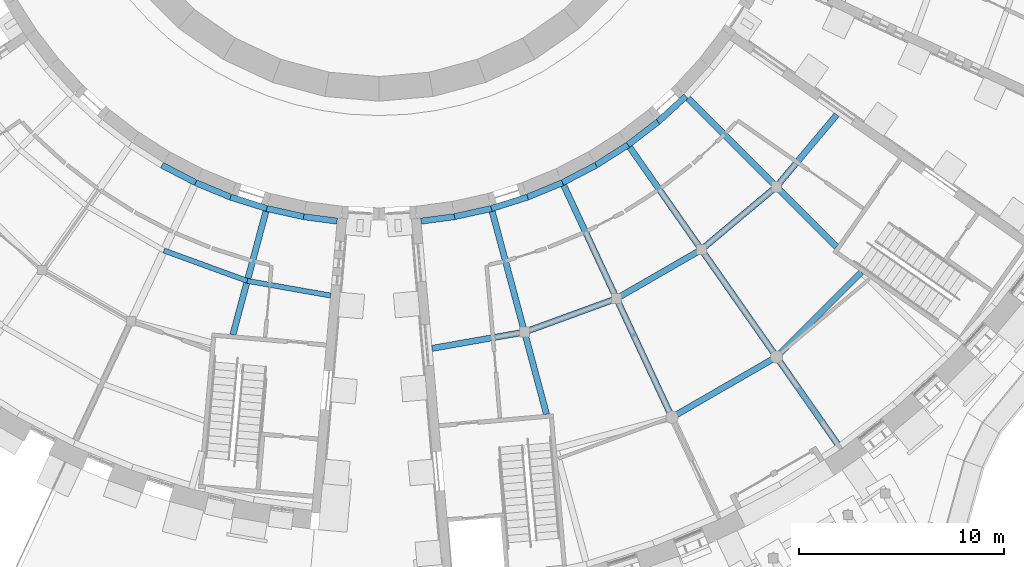
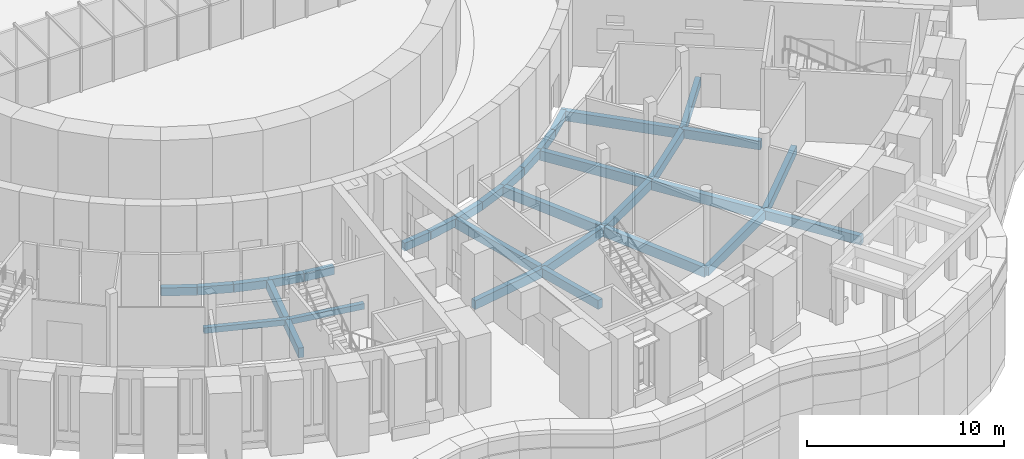
# One storey, part 5 of 85: 32 beams.
"""IFC4 building model written with IfcOpenShell, lengths in metres."""

from ifc_helpers import new_model, si_unit, direction, frame, origin, origin_2d, place, context, subcontext, project, spatial, rectangle, extrude, material, material_profile, profile_set, type_object, element, save


model = new_model("IFC4")

# Units and contexts
model_context = context("Model", 3, precision=1e-05, world=origin(), true_north=direction((0.0, 1.0)))
body_context = subcontext(model_context, "Body", "Model", "MODEL_VIEW")
ifc_project = project(units=[si_unit("LENGTHUNIT", "METRE"), si_unit("AREAUNIT", "SQUARE_METRE"), si_unit("VOLUMEUNIT", "CUBIC_METRE"), si_unit("PLANEANGLEUNIT", "RADIAN"), si_unit("MASSUNIT", "GRAM", prefix="KILO")], contexts=[model_context])

# Site, building, storey
site_placement = place(None, origin())
site = spatial("IfcSite", under=ifc_project, at=site_placement, CompositionType="ELEMENT")
building_placement = place(site_placement, origin())
building = spatial("IfcBuilding", under=site, at=building_placement, Name="Volute Hill Aquarium", CompositionType="ELEMENT")
storey_placement = place(building_placement, origin())
storey = spatial("IfcBuildingStorey", under=building, at=storey_placement, Name="L01", CompositionType="ELEMENT", Elevation=0.0)

# Beams
ifc_material_1 = material(Name="Concrete C35/45", Category="concrete")
ifc_material_profile_1 = material_profile(ifc_material_1, rectangle(XDim=0.300048828125, YDim=0.550048828125, at=origin_2d()), Name="RC beam 300x550")
ifc_profile_set_1 = profile_set([ifc_material_profile_1], Name="Concrete C35/45")
beam_type_1 = type_object("IfcBeamType", Name="Beam 300x550 C35/45", PredefinedType="BEAM", material=ifc_profile_set_1)
beam_1_placement = place(storey_placement, frame((7.08740234375, -26.4501953125, -0.544921875), z_axis=(0.258824393831, -0.965924393086, 0.0), x_axis=(0.965924393086, 0.258824393831, 0.0)))
element("IfcBeam", 1, at=beam_1_placement, inside=storey, type_object=beam_type_1, Name="bm/S3/L01/rad1.2", PredefinedType="BEAM", context=body_context, shape_type="SweptSolid", body=[
    extrude(rectangle(XDim=0.300048828125, YDim=0.550048828125, at=origin_2d()), origin(), (0.0, 0.0, 1.0), 4.145751953125),
])
beam_2_placement = place(storey_placement, frame((19.367919921875, -27.66015625, -0.544921875), z_axis=(0.573584859356, -0.819146146373, 0.0), x_axis=(0.819146146373, 0.573584859356, 0.0)))
element("IfcBeam", 2, at=beam_2_placement, inside=storey, type_object=beam_type_1, Name="bm/S3/L01/rad3.9", PredefinedType="BEAM", context=body_context, shape_type="SweptSolid", body=[
    extrude(rectangle(XDim=0.300048828125, YDim=0.550048828125, at=origin_2d()), origin(), (0.0, 0.0, 1.0), 5.483154296875),
])
beam_3_placement = place(storey_placement, frame((19.36279296875, -19.36279296875, -0.544921875), z_axis=(0.707106781187, -0.707106781187, 0.0), x_axis=(0.707106781187, 0.707106781187, 0.0)))
element("IfcBeam", 3, at=beam_3_placement, inside=storey, type_object=beam_type_1, Name="bm/S3/L01/rad4.11", PredefinedType="BEAM", context=body_context, shape_type="SweptSolid", body=[
    extrude(rectangle(XDim=0.300048828125, YDim=0.550048828125, at=origin_2d()), origin(), (0.0, 0.0, 1.0), 4.1455078125),
])
beam_4_placement = place(storey_placement, frame((2.584228515625, -27.244140625, -0.544921875), z_axis=(0.984810959113, 0.173629993984, 0.0), x_axis=(-0.173629993984, 0.984810959113, 0.0)))
element("IfcBeam", 4, at=beam_4_placement, inside=storey, type_object=beam_type_1, Name="bm/S3/L01/ring1.13", PredefinedType="BEAM", context=body_context, shape_type="SweptSolid", body=[
    extrude(rectangle(XDim=0.300048828125, YDim=0.550048828125, at=origin_2d()), origin(), (0.0, 0.0, 1.0), 4.572509765625),
])
beam_5_placement = place(storey_placement, frame((7.08740234375, -26.4501953125, -0.544921875), z_axis=(0.93969033816, 0.342026414722, 0.0), x_axis=(-0.342026414722, 0.93969033816, 0.0)))
element("IfcBeam", 5, at=beam_5_placement, inside=storey, type_object=beam_type_1, Name="bm/S3/L01/ring1.14", PredefinedType="BEAM", context=body_context, shape_type="SweptSolid", body=[
    extrude(rectangle(XDim=0.300048828125, YDim=0.550048828125, at=origin_2d()), origin(), (0.0, 0.0, 1.0), 4.773193359375),
])
beam_6_placement = place(storey_placement, frame((11.57275390625, -24.817626953125, -0.544921875), z_axis=(0.86602800421, 0.499995495904, 0.0), x_axis=(-0.499995495904, 0.86602800421, 0.0)))
element("IfcBeam", 6, at=beam_6_placement, inside=storey, type_object=beam_type_1, Name="bm/S3/L01/ring1.15", PredefinedType="BEAM", context=body_context, shape_type="SweptSolid", body=[
    extrude(rectangle(XDim=0.300048828125, YDim=0.550048828125, at=origin_2d()), origin(), (0.0, 0.0, 1.0), 4.77294921875),
])
beam_7_placement = place(storey_placement, frame((15.706298828125, -22.43115234375, -0.544921875), z_axis=(0.766024173382, 0.642811765445, 0.0), x_axis=(-0.642811765445, 0.766024173382, 0.0)))
element("IfcBeam", 7, at=beam_7_placement, inside=storey, type_object=beam_type_1, Name="bm/S3/L01/ring1.16", PredefinedType="BEAM", context=body_context, shape_type="SweptSolid", body=[
    extrude(rectangle(XDim=0.300048828125, YDim=0.550048828125, at=origin_2d()), origin(), (0.0, 0.0, 1.0), 4.7734375),
])
beam_8_placement = place(storey_placement, frame((19.36279296875, -19.36279296875, -0.544921875), z_axis=(0.642801320395, 0.76603293826, 0.0), x_axis=(-0.76603293826, 0.642801320395, 0.0)))
element("IfcBeam", 8, at=beam_8_placement, inside=storey, type_object=beam_type_1, Name="bm/S3/L01/ring1.17", PredefinedType="BEAM", context=body_context, shape_type="SweptSolid", body=[
    extrude(rectangle(XDim=0.300048828125, YDim=0.550048828125, at=origin_2d()), origin(), (0.0, 0.0, 1.0), 4.572509765625),
])
beam_9_placement = place(storey_placement, frame((14.2705078125, -30.60302734375, -0.544921875), z_axis=(0.866034317068, 0.499984561422, 0.0), x_axis=(-0.499984561422, 0.866034317068, 0.0)))
element("IfcBeam", 9, at=beam_9_placement, inside=storey, type_object=beam_type_1, Name="bm/S3/L01/ring2.19", PredefinedType="BEAM", context=body_context, shape_type="SweptSolid", body=[
    extrude(rectangle(XDim=0.300048828125, YDim=0.550048828125, at=origin_2d()), origin(), (0.0, 0.0, 1.0), 5.885986328125),
])
beam_10_placement = place(storey_placement, frame((19.367919921875, -27.66015625, -0.544921875), z_axis=(0.707085869838, 0.707127691916, 0.0), x_axis=(-0.707127691916, 0.707085869838, 0.0)))
element("IfcBeam", 10, at=beam_10_placement, inside=storey, type_object=beam_type_1, Name="bm/S3/L01/ring2.20", PredefinedType="BEAM", context=body_context, shape_type="SweptSolid", body=[
    extrude(rectangle(XDim=0.300048828125, YDim=0.550048828125, at=origin_2d()), origin(), (0.0, 0.0, 1.0), 5.837646484375),
])
ifc_material_2 = material(Name="Concrete C35/45", Category="concrete")
ifc_material_profile_2 = material_profile(ifc_material_2, rectangle(XDim=0.300048828125, YDim=0.60009765625, at=origin_2d()), Name="RC beam 300x600")
ifc_profile_set_2 = profile_set([ifc_material_profile_2], Name="Concrete C35/45")
beam_type_2 = type_object("IfcBeamType", Name="Beam 300x600 C35/45", PredefinedType="BEAM", material=ifc_profile_set_2)
beam_11_placement = place(storey_placement, frame((-5.435302734375, -20.284423828125, -0.56005859375), z_axis=(-0.258823456338, -0.965924644291, 0.0), x_axis=(0.965924644291, -0.258823456338, 0.0)))
element("IfcBeam", 11, at=beam_11_placement, inside=storey, type_object=beam_type_2, Name="bm/S2/L01/rad4.7", PredefinedType="BEAM", context=body_context, shape_type="SweptSolid", body=[
    extrude(rectangle(XDim=0.300048828125, YDim=0.60009765625, at=origin_2d()), origin(), (0.0, 0.0, 1.0), 6.51806640625),
])
for number, where, z_axis, x_axis, name in (
    (12, (5.435302734375, -20.284423828125, -0.570068359375), (0.258817016244, -0.965926369918, 0.0), (0.965926369918, 0.258817016244, 0.0), "bm/S3/L01/rad1.1"),
    (13, (8.875, -19.032470703125, -0.570068359375), (0.422630002843, -0.906302311978, 0.0), (0.906302311978, 0.422630002843, 0.0), "bm/S3/L01/rad2.4"),
):
    element("IfcBeam", number, at=place(storey_placement, frame(where, z_axis=z_axis, x_axis=x_axis)), inside=storey, type_object=beam_type_2, Name=name, PredefinedType="BEAM", context=body_context, shape_type="SweptSolid", body=[
        extrude(rectangle(XDim=0.300048828125, YDim=0.60009765625, at=origin_2d()), origin(), (0.0, 0.0, 1.0), 6.38330078125),
    ])
beam_12_placement = place(storey_placement, frame((11.57275390625, -24.817626953125, -0.570068359375), z_axis=(0.422615353503, -0.906309143164, 0.0), x_axis=(0.906309143164, 0.422615353503, 0.0)))
element("IfcBeam", 14, at=beam_12_placement, inside=storey, type_object=beam_type_2, Name="bm/S3/L01/rad2.5", PredefinedType="BEAM", context=body_context, shape_type="SweptSolid", body=[
    extrude(rectangle(XDim=0.300048828125, YDim=0.60009765625, at=origin_2d()), origin(), (0.0, 0.0, 1.0), 6.383544921875),
])
beam_13_placement = place(storey_placement, frame((12.045166015625, -17.2021484375, -0.570068359375), z_axis=(0.573549615778, -0.819170823602, 0.0), x_axis=(0.819170823602, 0.573549615778, 0.0)))
element("IfcBeam", 15, at=beam_13_placement, inside=storey, type_object=beam_type_2, Name="bm/S3/L01/rad3.7", PredefinedType="BEAM", context=body_context, shape_type="SweptSolid", body=[
    extrude(rectangle(XDim=0.300048828125, YDim=0.60009765625, at=origin_2d()), origin(), (0.0, 0.0, 1.0), 6.38330078125),
])
beam_14_placement = place(storey_placement, frame((15.706298828125, -22.43115234375, -0.570068359375), z_axis=(0.573600942784, -0.819134884154, 0.0), x_axis=(0.819134884154, 0.573600942784, 0.0)))
element("IfcBeam", 16, at=beam_14_placement, inside=storey, type_object=beam_type_2, Name="bm/S3/L01/rad3.8", PredefinedType="BEAM", context=body_context, shape_type="SweptSolid", body=[
    extrude(rectangle(XDim=0.300048828125, YDim=0.60009765625, at=origin_2d()), origin(), (0.0, 0.0, 1.0), 6.383544921875),
])
beam_15_placement = place(storey_placement, frame((14.84912109375, -14.84912109375, -0.570068359375), z_axis=(0.707106781187, -0.707106781187, 0.0), x_axis=(0.707106781187, 0.707106781187, 0.0)))
element("IfcBeam", 17, at=beam_15_placement, inside=storey, type_object=beam_type_2, Name="bm/S3/L01/rad4.10", PredefinedType="BEAM", context=body_context, shape_type="SweptSolid", body=[
    extrude(rectangle(XDim=0.300048828125, YDim=0.60009765625, at=origin_2d()), origin(), (0.0, 0.0, 1.0), 6.38330078125),
])
ifc_material_3 = material(Name="Concrete C35/45", Category="concrete")
ifc_material_profile_3 = material_profile(ifc_material_3, rectangle(XDim=0.300048828125, YDim=0.5, at=origin_2d()), Name="RC edge beam 300x500")
ifc_profile_set_3 = profile_set([ifc_material_profile_3], Name="Concrete C35/45")
beam_type_3 = type_object("IfcBeamType", Name="Edge beam 300x500 C35/45", PredefinedType="BEAM", material=ifc_profile_set_3)
beam_16_placement = place(storey_placement, frame((-10.5751953125, -18.316650390625, -0.510009765625), z_axis=(0.887058600994, -0.461656840523, 0.0), x_axis=(0.461656840523, 0.887058600994, 0.0)))
element("IfcBeam", 18, at=beam_16_placement, inside=storey, type_object=beam_type_3, Name="bm/S2/L01/edgeD.17", PredefinedType="BEAM", context=body_context, shape_type="SweptSolid", body=[
    extrude(rectangle(XDim=0.300048828125, YDim=0.5, at=origin_2d()), origin(), (0.0, 0.0, 1.0), 1.84521484375),
])
beam_17_placement = place(storey_placement, frame((-8.9384765625, -19.16845703125, -0.510009765625), z_axis=(0.923881361379, -0.382679017059, 0.0), x_axis=(0.382679017059, 0.923881361379, 0.0)))
element("IfcBeam", 19, at=beam_17_placement, inside=storey, type_object=beam_type_3, Name="bm/S2/L01/edgeD.18", PredefinedType="BEAM", context=body_context, shape_type="SweptSolid", body=[
    extrude(rectangle(XDim=0.300048828125, YDim=0.5, at=origin_2d()), origin(), (0.0, 0.0, 1.0), 1.844970703125),
])
for number, where, z_axis, x_axis, name in (
    (20, (-7.23388671875, -19.87451171875, -0.510009765625), (0.953704567191, -0.300745072312, 0.0), (0.300745072312, 0.953704567191, 0.0), "bm/S2/L01/edgeD.19"),
    (21, (-5.47412109375, -20.429443359375, -0.510009765625), (0.976292789523, -0.216454127071, 0.0), (0.216454127071, 0.976292789523, 0.0), "bm/S2/L01/edgeD.20"),
):
    element("IfcBeam", number, at=place(storey_placement, frame(where, z_axis=z_axis, x_axis=x_axis)), inside=storey, type_object=beam_type_3, Name=name, PredefinedType="BEAM", context=body_context, shape_type="SweptSolid", body=[
        extrude(rectangle(XDim=0.300048828125, YDim=0.5, at=origin_2d()), origin(), (0.0, 0.0, 1.0), 1.84521484375),
    ])
for number, where, z_axis, x_axis, name in (
    (22, (-3.672607421875, -20.828857421875, -0.510009765625), (0.99143407694, -0.130608081992, 0.0), (0.130608081992, 0.99143407694, 0.0), "bm/S2/L01/edgeD.21"),
    (23, (2.041748046875, -21.043701171875, -0.52001953125), (0.99143407694, 0.130608081992, 0.0), (-0.130608081992, 0.99143407694, 0.0), "bm/S3/L01/edgeD.21"),
):
    element("IfcBeam", number, at=place(storey_placement, frame(where, z_axis=z_axis, x_axis=x_axis)), inside=storey, type_object=beam_type_3, Name=name, PredefinedType="BEAM", context=body_context, shape_type="SweptSolid", body=[
        extrude(rectangle(XDim=0.300048828125, YDim=0.5, at=origin_2d()), origin(), (0.0, 0.0, 1.0), 1.64501953125),
    ])
for number, where, z_axis, x_axis, name in (
    (24, (3.672607421875, -20.828857421875, -0.52001953125), (0.976292789523, 0.216454127071, 0.0), (-0.216454127071, 0.976292789523, 0.0), "bm/S3/L01/edgeD.22"),
    (25, (5.47412109375, -20.429443359375, -0.52001953125), (0.953704567191, 0.300745072312, 0.0), (-0.300745072312, 0.953704567191, 0.0), "bm/S3/L01/edgeD.23"),
):
    element("IfcBeam", number, at=place(storey_placement, frame(where, z_axis=z_axis, x_axis=x_axis)), inside=storey, type_object=beam_type_3, Name=name, PredefinedType="BEAM", context=body_context, shape_type="SweptSolid", body=[
        extrude(rectangle(XDim=0.300048828125, YDim=0.5, at=origin_2d()), origin(), (0.0, 0.0, 1.0), 1.84521484375),
    ])
beam_18_placement = place(storey_placement, frame((7.23388671875, -19.87451171875, -0.52001953125), z_axis=(0.923881361379, 0.382679017059, 0.0), x_axis=(-0.382679017059, 0.923881361379, 0.0)))
element("IfcBeam", 26, at=beam_18_placement, inside=storey, type_object=beam_type_3, Name="bm/S3/L01/edgeD.24", PredefinedType="BEAM", context=body_context, shape_type="SweptSolid", body=[
    extrude(rectangle(XDim=0.300048828125, YDim=0.5, at=origin_2d()), origin(), (0.0, 0.0, 1.0), 1.844970703125),
])
beam_19_placement = place(storey_placement, frame((8.9384765625, -19.16845703125, -0.52001953125), z_axis=(0.887058600994, 0.461656840523, 0.0), x_axis=(-0.461656840523, 0.887058600994, 0.0)))
element("IfcBeam", 27, at=beam_19_placement, inside=storey, type_object=beam_type_3, Name="bm/S3/L01/edgeD.25", PredefinedType="BEAM", context=body_context, shape_type="SweptSolid", body=[
    extrude(rectangle(XDim=0.300048828125, YDim=0.5, at=origin_2d()), origin(), (0.0, 0.0, 1.0), 1.84521484375),
])
beam_20_placement = place(storey_placement, frame((10.5751953125, -18.316650390625, -0.52001953125), z_axis=(0.843334400185, 0.537389141558, 0.0), x_axis=(-0.537389141558, 0.843334400185, 0.0)))
element("IfcBeam", 28, at=beam_20_placement, inside=storey, type_object=beam_type_3, Name="bm/S3/L01/edgeD.26", PredefinedType="BEAM", context=body_context, shape_type="SweptSolid", body=[
    extrude(rectangle(XDim=0.300048828125, YDim=0.5, at=origin_2d()), origin(), (0.0, 0.0, 1.0), 1.844970703125),
])
for number, where, z_axis, x_axis, name in (
    (29, (12.131103515625, -17.3251953125, -0.52001953125), (0.79334647843, 0.608770371457, 0.0), (-0.608770371457, 0.79334647843, 0.0), "bm/S3/L01/edgeD.27"),
    (30, (13.594970703125, -16.201904296875, -0.52001953125), (0.73726397759, 0.675604786356, 0.0), (-0.675604786356, 0.73726397759, 0.0), "bm/S3/L01/edgeD.28"),
):
    element("IfcBeam", number, at=place(storey_placement, frame(where, z_axis=z_axis, x_axis=x_axis)), inside=storey, type_object=beam_type_3, Name=name, PredefinedType="BEAM", context=body_context, shape_type="SweptSolid", body=[
        extrude(rectangle(XDim=0.300048828125, YDim=0.5, at=origin_2d()), origin(), (0.0, 0.0, 1.0), 1.84521484375),
    ])
ifc_material_4 = material(Name="Concrete C35/45", Category="concrete")
ifc_material_profile_4 = material_profile(ifc_material_4, rectangle(XDim=0.25, YDim=0.35009765625, at=origin_2d()), Name="RC joist 250x350")
ifc_profile_set_4 = profile_set([ifc_material_profile_4], Name="Concrete C35/45")
beam_type_4 = type_object("IfcBeamType", Name="Joist 250x350 C35/45", PredefinedType="BEAM", material=ifc_profile_set_4)
beam_21_placement = place(storey_placement, frame((-10.48095703125, -22.476318359375, -0.43505859375), z_axis=(0.93967629748, -0.34206498791, 0.0), x_axis=(0.34206498791, 0.93967629748, 0.0)))
element("IfcBeam", 31, at=beam_21_placement, inside=storey, type_object=beam_type_4, Name="bm/S2/L01/jst4", PredefinedType="BEAM", context=body_context, shape_type="SweptSolid", body=[
    extrude(rectangle(XDim=0.25, YDim=0.35009765625, at=origin_2d()), origin(), (0.0, 0.0, 1.0), 4.322998046875),
])
beam_22_placement = place(storey_placement, frame((-6.418701171875, -23.955078125, -0.43505859375), z_axis=(0.984817525638, -0.173592745228, 0.0), x_axis=(0.173592745228, 0.984817525638, 0.0)))
element("IfcBeam", 32, at=beam_22_placement, inside=storey, type_object=beam_type_4, Name="bm/S2/L01/jst5", PredefinedType="BEAM", context=body_context, shape_type="SweptSolid", body=[
    extrude(rectangle(XDim=0.25, YDim=0.35009765625, at=origin_2d()), origin(), (0.0, 0.0, 1.0), 4.1220703125),
])

save(model, "model.ifc")
